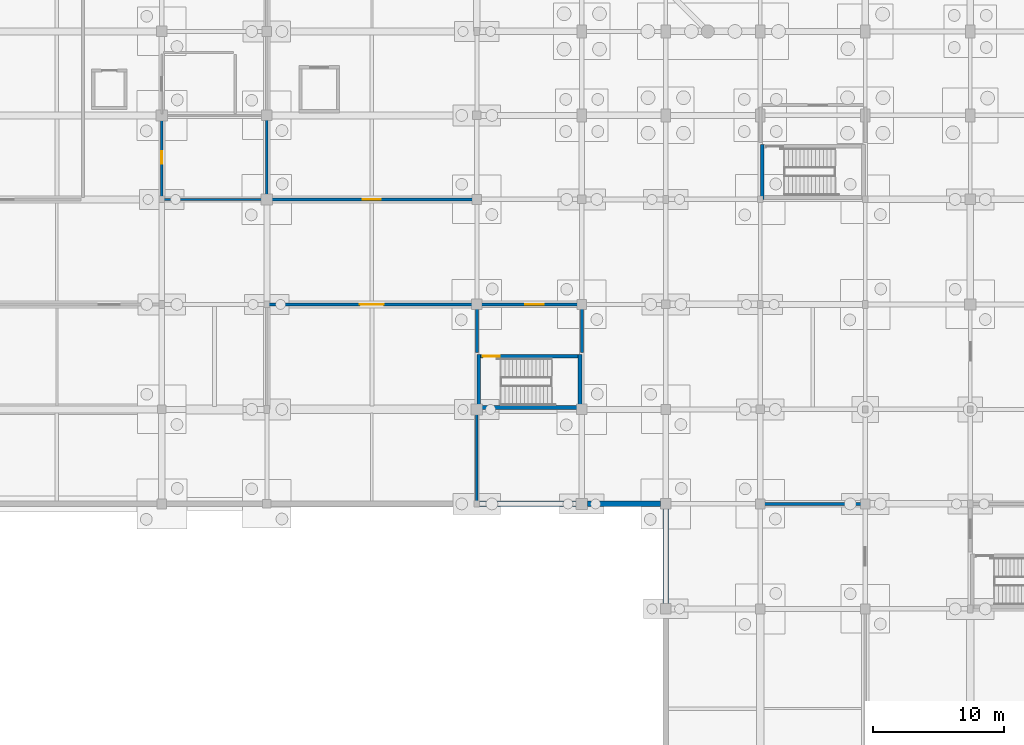
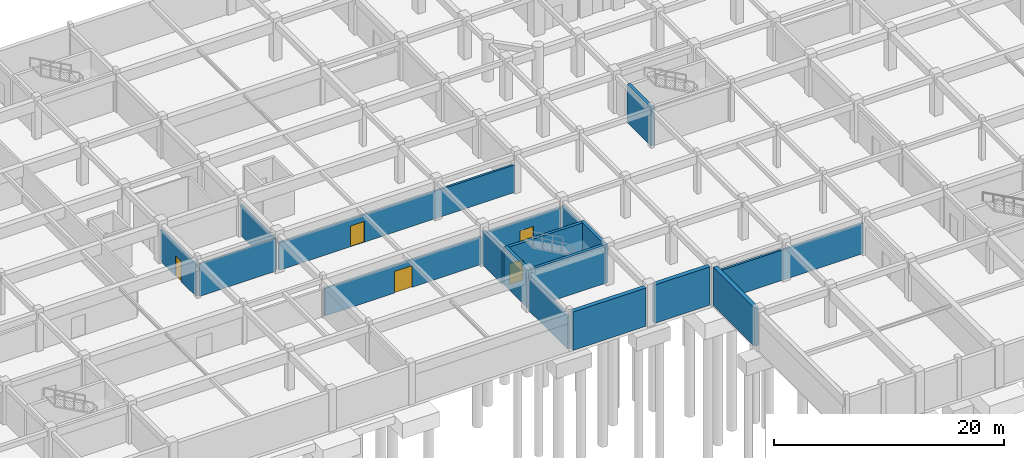
# One storey, part 19 of 28: 18 walls, 5 doors, 5 openings.
"""IFC4 building model written with IfcOpenShell, lengths in metres."""

from ifc_helpers import new_model, si_unit, direction, frame, frame_2d, origin, place, context, subcontext, project, spatial, rectangle, extrude, material, layer, layer_set, type_object, element, fill, save


model = new_model("IFC4")

# Units and contexts
model_context = context("Model", 3, precision=1e-05, world=origin(), true_north=direction((0.0, 1.0)))
body_context = subcontext(model_context, "Body", "Model", "MODEL_VIEW")
ifc_project = project(units=[si_unit("LENGTHUNIT", "METRE"), si_unit("AREAUNIT", "SQUARE_METRE"), si_unit("VOLUMEUNIT", "CUBIC_METRE"), si_unit("PLANEANGLEUNIT", "RADIAN"), si_unit("MASSUNIT", "GRAM", prefix="KILO")], contexts=[model_context])

# Site, building, storey
site_placement = place(None, origin())
site = spatial("IfcSite", under=ifc_project, at=site_placement, CompositionType="ELEMENT")
building_placement = place(site_placement, origin())
building = spatial("IfcBuilding", under=site, at=building_placement, Name="Vellmiral Cinema and Media Centre", CompositionType="ELEMENT")
storey_placement = place(building_placement, frame((0.0, 0.0, -4.5)))
storey = spatial("IfcBuildingStorey", under=building, at=storey_placement, Name="B1", CompositionType="ELEMENT", Elevation=-4.5)

# Walls
ifc_material_1 = material(Name="Concrete C30/37", Category="concrete")
ifc_layer_1 = layer(ifc_material_1, 0.419921875, Name="Concrete C30/37")
ifc_layer_set_1 = layer_set([ifc_layer_1], Name="Concrete C30/37")
wall_type_1 = type_object("IfcWallType", Name="WL-B1-RET-420", PredefinedType="SOLIDWALL", material=ifc_layer_set_1)
wall_1_placement = place(storey_placement, frame((102.60009765625, 36.0, 0.0), z_axis=(0.0, 0.0, 1.0), x_axis=(1.0, 0.0, 0.0)))
element("IfcWall", 1, at=wall_1_placement, inside=storey, type_object=wall_type_1, Name="Basement Retaining Wall B1-017", PredefinedType="SOLIDWALL", context=body_context, shape_type="SweptSolid", body=[
    extrude(rectangle(XDim=7.375, YDim=0.419921875, at=frame_2d((3.6875, 0.0))), origin(), (0.0, 0.0, 1.0), 4.080078125),
])
wall_2_placement = place(storey_placement, frame((110.824951171875, 36.0, 0.0), z_axis=(0.0, 0.0, 1.0), x_axis=(1.0, 0.0, 0.0)))
element("IfcWall", 2, at=wall_2_placement, inside=storey, type_object=wall_type_1, Name="Basement Retaining Wall B1-018", PredefinedType="SOLIDWALL", context=body_context, shape_type="SweptSolid", body=[
    extrude(rectangle(XDim=5.574951171875, YDim=0.419921875, at=frame_2d((2.78759765625, 0.0))), origin(), (0.0, 0.0, 1.0), 4.080078125),
])
wall_3_placement = place(storey_placement, frame((116.800048828125, 35.60009765625, 0.0), z_axis=(0.0, 0.0, 1.0), x_axis=(0.0, -1.0, 0.0)))
element("IfcWall", 3, at=wall_3_placement, inside=storey, type_object=wall_type_1, Name="Basement Retaining Wall B1-019", PredefinedType="SOLIDWALL", context=body_context, shape_type="SweptSolid", body=[
    extrude(rectangle(XDim=7.2001953125, YDim=0.419921875, at=frame_2d((3.60009765625, 0.0))), origin(), (0.0, 0.0, 1.0), 4.080078125),
])

# Wall, opening, door
ifc_material_2 = material(Name="Concrete C40/50", Category="concrete")
ifc_layer_2 = layer(ifc_material_2, 0.2099609375, Name="Concrete C40/50")
ifc_layer_set_2 = layer_set([ifc_layer_2], Name="Concrete C40/50")
wall_type_2 = type_object("IfcWallType", Name="WL-COMP-210", PredefinedType="SOLIDWALL", material=ifc_layer_set_2)
wall_4_placement = place(storey_placement, frame((86.5400390625, 51.199951171875, 0.0), z_axis=(0.0, 0.0, 1.0), x_axis=(1.0, 0.0, 0.0)))
wall_4 = element("IfcWall", 4, at=wall_4_placement, inside=storey, type_object=wall_type_2, Name="Broadcast OB-Van Underground Dock Wall N", PredefinedType="SOLIDWALL", context=body_context, shape_type="SweptSolid", body=[
    extrude(rectangle(XDim=15.719970703125, YDim=0.2099609375, at=frame_2d((7.85986328125, 0.0))), origin(), (0.0, 0.0, 1.0), 2.925048828125),
])
opening_1_placement = place(wall_4_placement, frame((6.9599609375, 0.0, 0.0)))
opening_1 = element("IfcOpeningElement", 5, at=opening_1_placement, cuts=wall_4, Name="Opening D-FD60", PredefinedType="OPENING", context=body_context, shape_type="SweptSolid", body=[
    extrude(rectangle(XDim=1.800048828125, YDim=2.300048828125, at=frame_2d((0.89990234375, 1.14990234375))), frame((0.0, 0.116943359375, 0.0), z_axis=(0.0, -1.0, 0.0), x_axis=(1.0, 0.0, 0.0)), (0.0, 0.0, 1.0), 0.23388671875),
])
ifc_material_3 = material(Name="Steel Fire Door", Category="steel")
door_type_1 = type_object("IfcDoorType", Name="DR-FD60-1800x2300", OperationType="DOUBLE_DOOR_SINGLE_SWING", PredefinedType="DOOR", material=ifc_material_3)
door_1_placement = place(opening_1_placement, origin())
door_1 = element("IfcDoor", 6, at=door_1_placement, inside=storey, type_object=door_type_1, Name="Broadcast OB-Van Underground Dock Door", OperationType="DOUBLE_DOOR_SINGLE_SWING", OverallHeight=2.300048828125, OverallWidth=1.800048828125, PredefinedType="DOOR", context=body_context, shape_type="SweptSolid", body=[
    extrude(rectangle(XDim=1.800048828125, YDim=2.300048828125, at=frame_2d((0.89990234375, 1.14990234375))), frame((0.0, 0.02490234375, 0.0), z_axis=(0.0, -1.0, 0.0), x_axis=(1.0, 0.0, 0.0)), (0.0, 0.0, 1.0), 0.050048828125),
])
fill(opening_1, door_1)

# Wall
wall_5_placement = place(storey_placement, frame((102.39990234375, 36.22509765625, 0.0), z_axis=(0.0, 0.0, 1.0), x_axis=(0.0, 1.0, 0.0)))
element("IfcWall", 7, at=wall_5_placement, inside=storey, type_object=wall_type_2, Name="Broadcast OB-Van Underground Dock Wall E", PredefinedType="SOLIDWALL", context=body_context, shape_type="SweptSolid", body=[
    extrude(rectangle(XDim=6.8349609375, YDim=0.2099609375, at=frame_2d((3.41748046875, 0.0))), origin(), (0.0, 0.0, 1.0), 3.47509765625),
])

# Wall, opening, door
wall_6_placement = place(storey_placement, frame((86.5400390625, 59.199951171875, 0.0), z_axis=(0.0, 0.0, 1.0), x_axis=(1.0, 0.0, 0.0)))
wall_6 = element("IfcWall", 8, at=wall_6_placement, inside=storey, type_object=wall_type_2, Name="Sprinkler Water Storage Tank and Pump Room Wall S", PredefinedType="SOLIDWALL", context=body_context, shape_type="SweptSolid", body=[
    extrude(rectangle(XDim=23.719970703125, YDim=0.2099609375, at=frame_2d((11.85986328125, 0.0))), origin(), (0.0, 0.0, 1.0), 2.925048828125),
])
opening_2_placement = place(wall_6_placement, frame((7.159912109375, 0.0, 0.0)))
opening_2 = element("IfcOpeningElement", 9, at=opening_2_placement, cuts=wall_6, Name="Opening D-FD60B", PredefinedType="OPENING", context=body_context, shape_type="SweptSolid", body=[
    extrude(rectangle(XDim=1.39990234375, YDim=2.199951171875, at=frame_2d((0.699951171875, 1.10009765625))), frame((0.0, 0.116943359375, 0.0), z_axis=(0.0, -1.0, 0.0), x_axis=(1.0, 0.0, 0.0)), (0.0, 0.0, 1.0), 0.23388671875),
])
ifc_material_4 = material(Name="Steel Fire Door", Category="steel")
door_type_2 = type_object("IfcDoorType", Name="DR-FD60-1400x2200", OperationType="NOTDEFINED", PredefinedType="DOOR", material=ifc_material_4)
door_2_placement = place(opening_2_placement, origin())
door_2 = element("IfcDoor", 10, at=door_2_placement, inside=storey, type_object=door_type_2, Name="Sprinkler Water Storage Tank and Pump Room Door", OperationType="SINGLE_SWING_LEFT", OverallHeight=2.199951171875, OverallWidth=1.39990234375, PredefinedType="DOOR", context=body_context, shape_type="SweptSolid", body=[
    extrude(rectangle(XDim=1.39990234375, YDim=2.199951171875, at=frame_2d((0.699951171875, 1.10009765625))), frame((0.0, 0.02490234375, 0.0), z_axis=(0.0, -1.0, 0.0), x_axis=(1.0, 0.0, 0.0)), (0.0, 0.0, 1.0), 0.050048828125),
])
fill(opening_2, door_2)

# Walls
wall_7_placement = place(storey_placement, frame((116.905029296875, 36.0, 0.0), z_axis=(0.0, 0.0, 1.0), x_axis=(1.0, 0.0, 0.0)))
element("IfcWall", 11, at=wall_7_placement, inside=storey, type_object=wall_type_2, Name="Primary Chiller and Acoustic AHU Plant Room Wall N", PredefinedType="SOLIDWALL", context=body_context, shape_type="SweptSolid", body=[
    extrude(rectangle(XDim=14.955078125, YDim=0.2099609375, at=frame_2d((7.4775390625, 0.0))), origin(), (0.0, 0.0, 1.0), 3.22509765625),
])
ifc_material_5 = material(Name="Concrete C40/50", Category="concrete")
ifc_layer_3 = layer(ifc_material_5, 0.300048828125, Name="Concrete C40/50")
ifc_layer_set_3 = layer_set([ifc_layer_3], Name="Concrete C40/50")
wall_type_3 = type_object("IfcWallType", Name="WL-CORE-300", PredefinedType="SHEAR", material=ifc_layer_set_3)
for number, where, z_axis, x_axis, name in (
    (12, (102.550048828125, 43.199951171875, 0.0), (0.0, 0.0, 1.0), (0.0, 1.0, 0.0), "Stair Core Wall ST-P4 B1-W"),
    (13, (110.25, 43.199951171875, 0.0), (0.0, 0.0, 1.0), (0.0, 1.0, 0.0), "Stair Core Wall ST-P4 B1-E"),
):
    element("IfcWall", number, at=place(storey_placement, frame(where, z_axis=z_axis, x_axis=x_axis)), inside=storey, type_object=wall_type_3, Name=name, PredefinedType="SHEAR", context=body_context, shape_type="SweptSolid", body=[
        extrude(rectangle(XDim=4.199951171875, YDim=0.300048828125, at=frame_2d((2.10009765625, 0.0))), origin(), (0.0, 0.0, 1.0), 4.080078125),
    ])
wall_8_placement = place(storey_placement, frame((102.699951171875, 43.35009765625, 0.0), z_axis=(0.0, 0.0, 1.0), x_axis=(1.0, 0.0, 0.0)))
element("IfcWall", 14, at=wall_8_placement, inside=storey, type_object=wall_type_3, Name="Stair Core Wall ST-P4 B1-S", PredefinedType="SHEAR", context=body_context, shape_type="SweptSolid", body=[
    extrude(rectangle(XDim=7.400146484375, YDim=0.300048828125, at=frame_2d((3.7001953125, 0.0))), origin(), (0.0, 0.0, 1.0), 4.080078125),
])

# Wall, opening, door
wall_9_placement = place(storey_placement, frame((102.699951171875, 47.25, 0.0), z_axis=(0.0, 0.0, 1.0), x_axis=(1.0, 0.0, 0.0)))
wall_9 = element("IfcWall", 15, at=wall_9_placement, inside=storey, type_object=wall_type_3, Name="Stair Core Wall ST-P4 B1-N", PredefinedType="SHEAR", context=body_context, shape_type="SweptSolid", body=[
    extrude(rectangle(XDim=7.400146484375, YDim=0.300048828125, at=frame_2d((3.7001953125, 0.0))), origin(), (0.0, 0.0, 1.0), 4.080078125),
])
opening_3_placement = place(wall_9_placement, frame((0.159912109375, 0.0, 0.0)))
opening_3 = element("IfcOpeningElement", 16, at=opening_3_placement, cuts=wall_9, Name="Opening D-FD30A", PredefinedType="OPENING", context=body_context, shape_type="SweptSolid", body=[
    extrude(rectangle(XDim=1.300048828125, YDim=2.179931640625, at=frame_2d((0.64990234375, 1.08984375))), frame((0.0, 0.162109375, 0.0), z_axis=(0.0, -1.0, 0.0), x_axis=(1.0, 0.0, 0.0)), (0.0, 0.0, 1.0), 0.323974609375),
])
ifc_material_6 = material(Name="Steel Stair Fire Door", Category="steel")
door_type_3 = type_object("IfcDoorType", Name="DR-FD30-1300x2180", OperationType="NOTDEFINED", PredefinedType="DOOR", material=ifc_material_6)
door_3_placement = place(opening_3_placement, frame((1.300048828125, 0.0, 0.0), z_axis=(0.0, 0.0, 1.0), x_axis=(-1.0, 0.0, 0.0)))
door_3 = element("IfcDoor", 17, at=door_3_placement, inside=storey, type_object=door_type_3, Name="Protected Stair Door ST-P4 B1", OperationType="SINGLE_SWING_RIGHT", OverallHeight=2.179931640625, OverallWidth=1.300048828125, PredefinedType="DOOR", context=body_context, shape_type="SweptSolid", body=[
    extrude(rectangle(XDim=1.300048828125, YDim=2.179931640625, at=frame_2d((0.64990234375, 1.08984375))), frame((0.0, 0.02490234375, 0.0), z_axis=(0.0, -1.0, 0.0), x_axis=(1.0, 0.0, 0.0)), (0.0, 0.0, 1.0), 0.050048828125),
])
fill(opening_3, door_3)

# Wall
wall_10_placement = place(storey_placement, frame((124.14990234375, 59.199951171875, 0.0), z_axis=(0.0, 0.0, 1.0), x_axis=(0.0, 1.0, 0.0)))
element("IfcWall", 18, at=wall_10_placement, inside=storey, type_object=wall_type_3, Name="Stair Core Wall ST-P6 B1-W", PredefinedType="SHEAR", context=body_context, shape_type="SweptSolid", body=[
    extrude(rectangle(XDim=4.199951171875, YDim=0.300048828125, at=frame_2d((2.10009765625, 0.0))), origin(), (0.0, 0.0, 1.0), 4.080078125),
])

# Wall, opening, door
ifc_material_7 = material(Name="Concrete C40/50", Category="concrete")
ifc_layer_4 = layer(ifc_material_7, 0.22998046875, Name="Concrete C40/50")
ifc_layer_set_4 = layer_set([ifc_layer_4], Name="Concrete C40/50")
wall_type_4 = type_object("IfcWallType", Name="WL-FFL-230", PredefinedType="SOLIDWALL", material=ifc_layer_set_4)
wall_11_placement = place(storey_placement, frame((102.5400390625, 51.199951171875, 0.0), z_axis=(0.0, 0.0, 1.0), x_axis=(1.0, 0.0, 0.0)))
wall_11 = element("IfcWall", 19, at=wall_11_placement, inside=storey, type_object=wall_type_4, Name="Firefighting Stair Lobby ST-P4 Wall N", PredefinedType="SOLIDWALL", context=body_context, shape_type="SweptSolid", body=[
    extrude(rectangle(XDim=7.719970703125, YDim=0.22998046875, at=frame_2d((3.85986328125, 0.0))), origin(), (0.0, 0.0, 1.0), 3.22509765625),
])
opening_4_placement = place(wall_11_placement, frame((3.56005859375, 0.0, 0.0)))
opening_4 = element("IfcOpeningElement", 20, at=opening_4_placement, cuts=wall_11, Name="Opening D-FD60B", PredefinedType="OPENING", context=body_context, shape_type="SweptSolid", body=[
    extrude(rectangle(XDim=1.39990234375, YDim=2.199951171875, at=frame_2d((0.699951171875, 1.10009765625))), frame((0.0, 0.126953125, 0.0), z_axis=(0.0, -1.0, 0.0), x_axis=(1.0, 0.0, 0.0)), (0.0, 0.0, 1.0), 0.25390625),
])
door_4_placement = place(opening_4_placement, frame((1.39990234375, 0.0, 0.0), z_axis=(0.0, 0.0, 1.0), x_axis=(-1.0, 0.0, 0.0)))
door_4 = element("IfcDoor", 21, at=door_4_placement, inside=storey, type_object=door_type_2, Name="Firefighting Stair Lobby ST-P4 Door", OperationType="SINGLE_SWING_LEFT", OverallHeight=2.199951171875, OverallWidth=1.39990234375, PredefinedType="DOOR", context=body_context, shape_type="SweptSolid", body=[
    extrude(rectangle(XDim=1.39990234375, YDim=2.199951171875, at=frame_2d((0.699951171875, 1.10009765625))), frame((0.0, 0.02490234375, 0.0), z_axis=(0.0, -1.0, 0.0), x_axis=(1.0, 0.0, 0.0)), (0.0, 0.0, 1.0), 0.050048828125),
])
fill(opening_4, door_4)

# Walls
wall_12_placement = place(storey_placement, frame((102.39990234375, 47.5400390625, 0.0), z_axis=(0.0, 0.0, 1.0), x_axis=(0.0, 1.0, 0.0)))
element("IfcWall", 22, at=wall_12_placement, inside=storey, type_object=wall_type_4, Name="Firefighting Stair Lobby ST-P4 Wall W", PredefinedType="SOLIDWALL", context=body_context, shape_type="SweptSolid", body=[
    extrude(rectangle(XDim=3.52001953125, YDim=0.22998046875, at=frame_2d((1.760009765625, 0.0))), origin(), (0.0, 0.0, 1.0), 3.574951171875),
])
wall_13_placement = place(storey_placement, frame((110.39990234375, 47.5400390625, 0.0), z_axis=(0.0, 0.0, 1.0), x_axis=(0.0, 1.0, 0.0)))
element("IfcWall", 23, at=wall_13_placement, inside=storey, type_object=wall_type_4, Name="Firefighting Stair Lobby ST-P4 Wall E", PredefinedType="SOLIDWALL", context=body_context, shape_type="SweptSolid", body=[
    extrude(rectangle(XDim=3.52001953125, YDim=0.22998046875, at=frame_2d((1.760009765625, 0.0))), origin(), (0.0, 0.0, 1.0), 3.47509765625),
])
ifc_material_8 = material(Name="Gypsum Plasterboard")
ifc_layer_5 = layer(ifc_material_8, 0.02490234375, Name="Gypsum Plasterboard", Category="gypsum")
ifc_material_9 = material(Name="Mineral Wool Acoustic Insulation", Category="insulation")
ifc_layer_6 = layer(ifc_material_9, 0.080078125, Name="Mineral Wool Acoustic Insulation", Category="insulation")
ifc_layer_7 = layer(ifc_material_8, 0.02490234375, Name="Gypsum Plasterboard", Category="gypsum")
ifc_layer_set_5 = layer_set([ifc_layer_5, ifc_layer_6, ifc_layer_7], Name="Gypsum Plasterboard")
wall_type_5 = type_object("IfcWallType", Name="WL-PART-130", PredefinedType="PARTITIONING", material=ifc_layer_set_5)
wall_14_placement = place(storey_placement, frame((78.5400390625, 59.199951171875, 0.0), z_axis=(0.0, 0.0, 1.0), x_axis=(1.0, 0.0, 0.0)))
element("IfcWall", 24, at=wall_14_placement, inside=storey, type_object=wall_type_5, Name="Basement Podium Staff WC Wall S", PredefinedType="PARTITIONING", context=body_context, shape_type="SweptSolid", body=[
    extrude(rectangle(XDim=7.719970703125, YDim=0.1298828125, at=frame_2d((3.85986328125, 0.0))), origin(), (0.0, 0.0, 1.0), 3.47509765625),
])
ifc_material_10 = material(Name="Gypsum Plasterboard")
ifc_layer_8 = layer(ifc_material_10, 0.02490234375, Name="Gypsum Plasterboard", Category="gypsum")
ifc_material_11 = material(Name="Mineral Wool Acoustic Insulation", Category="insulation")
ifc_layer_9 = layer(ifc_material_11, 0.1201171875, Name="Mineral Wool Acoustic Insulation", Category="insulation")
ifc_layer_10 = layer(ifc_material_10, 0.02490234375, Name="Gypsum Plasterboard", Category="gypsum")
ifc_layer_set_6 = layer_set([ifc_layer_8, ifc_layer_9, ifc_layer_10], Name="Gypsum Plasterboard")
wall_type_6 = type_object("IfcWallType", Name="WL-PART-170", PredefinedType="PARTITIONING", material=ifc_layer_set_6)
wall_15_placement = place(storey_placement, frame((86.39990234375, 59.340087890625, 0.0), z_axis=(0.0, 0.0, 1.0), x_axis=(0.0, 1.0, 0.0)))
element("IfcWall", 25, at=wall_15_placement, inside=storey, type_object=wall_type_6, Name="Basement Podium Staff WC Wall E", PredefinedType="PARTITIONING", context=body_context, shape_type="SweptSolid", body=[
    extrude(rectangle(XDim=6.119873046875, YDim=0.169921875, at=frame_2d((3.06005859375, 0.0))), origin(), (0.0, 0.0, 1.0), 3.22509765625),
])

# Wall, opening, door
ifc_material_12 = material(Name="Gypsum Plasterboard")
ifc_layer_11 = layer(ifc_material_12, 0.02490234375, Name="Gypsum Plasterboard", Category="gypsum")
ifc_material_13 = material(Name="Mineral Wool Acoustic Insulation", Category="insulation")
ifc_layer_12 = layer(ifc_material_13, 0.139892578125, Name="Mineral Wool Acoustic Insulation", Category="insulation")
ifc_layer_13 = layer(ifc_material_12, 0.02490234375, Name="Gypsum Plasterboard", Category="gypsum")
ifc_layer_set_7 = layer_set([ifc_layer_11, ifc_layer_12, ifc_layer_13], Name="Gypsum Plasterboard")
wall_type_7 = type_object("IfcWallType", Name="WL-PART-190", PredefinedType="PARTITIONING", material=ifc_layer_set_7)
wall_16_placement = place(storey_placement, frame((78.39990234375, 59.340087890625, 0.0), z_axis=(0.0, 0.0, 1.0), x_axis=(0.0, 1.0, 0.0)))
wall_16 = element("IfcWall", 26, at=wall_16_placement, inside=storey, type_object=wall_type_7, Name="Basement Podium Staff WC Wall W", PredefinedType="PARTITIONING", context=body_context, shape_type="SweptSolid", body=[
    extrude(rectangle(XDim=6.119873046875, YDim=0.18994140625, at=frame_2d((3.06005859375, 0.0))), origin(), (0.0, 0.0, 1.0), 3.375),
])
opening_5_placement = place(wall_16_placement, frame((2.5849609375, 0.0, 0.0)))
opening_5 = element("IfcOpeningElement", 27, at=opening_5_placement, cuts=wall_16, Name="Opening D-I09", PredefinedType="OPENING", context=body_context, shape_type="SweptSolid", body=[
    extrude(rectangle(XDim=0.949951171875, YDim=2.14990234375, at=frame_2d((0.47509765625, 1.074951171875))), frame((0.0, 0.10693359375, 0.0), z_axis=(0.0, -1.0, 0.0), x_axis=(1.0, 0.0, 0.0)), (0.0, 0.0, 1.0), 0.2138671875),
])
ifc_material_14 = material(Name="Moisture-Resistant Timber Door", Category="wood")
door_type_4 = type_object("IfcDoorType", Name="DR-INT-950x2150", OperationType="NOTDEFINED", PredefinedType="DOOR", material=ifc_material_14)
door_5_placement = place(opening_5_placement, frame((0.949951171875, 0.0, 0.0), z_axis=(0.0, 0.0, 1.0), x_axis=(-1.0, 0.0, 0.0)))
door_5 = element("IfcDoor", 28, at=door_5_placement, inside=storey, type_object=door_type_4, Name="Basement Podium Staff WC Door", OperationType="SINGLE_SWING_RIGHT", OverallHeight=2.14990234375, OverallWidth=0.949951171875, PredefinedType="DOOR", context=body_context, shape_type="SweptSolid", body=[
    extrude(rectangle(XDim=0.949951171875, YDim=2.14990234375, at=frame_2d((0.47509765625, 1.074951171875))), frame((0.0, 0.02490234375, 0.0), z_axis=(0.0, -1.0, 0.0), x_axis=(1.0, 0.0, 0.0)), (0.0, 0.0, 1.0), 0.050048828125),
])
fill(opening_5, door_5)

save(model, "model.ifc")
